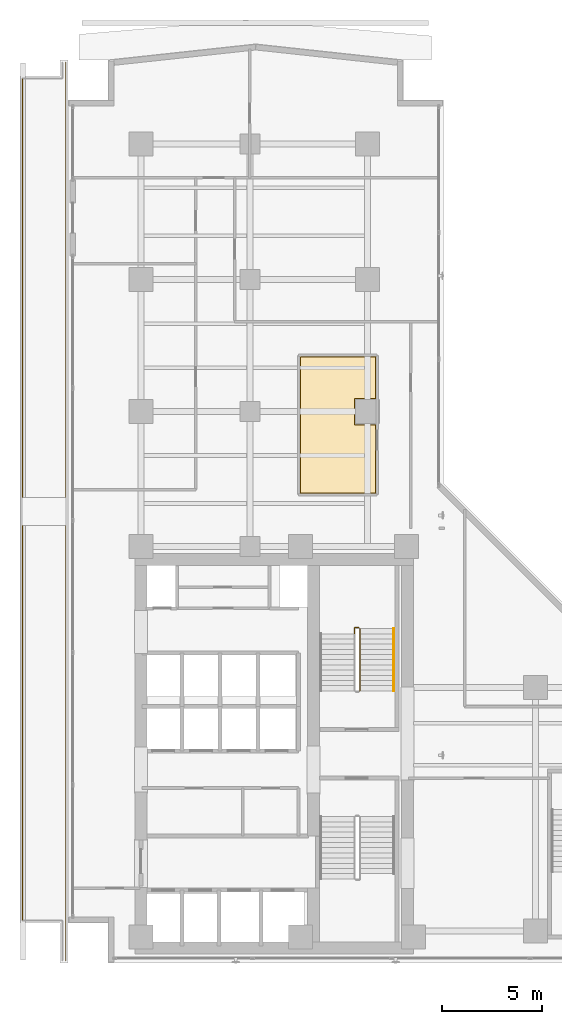
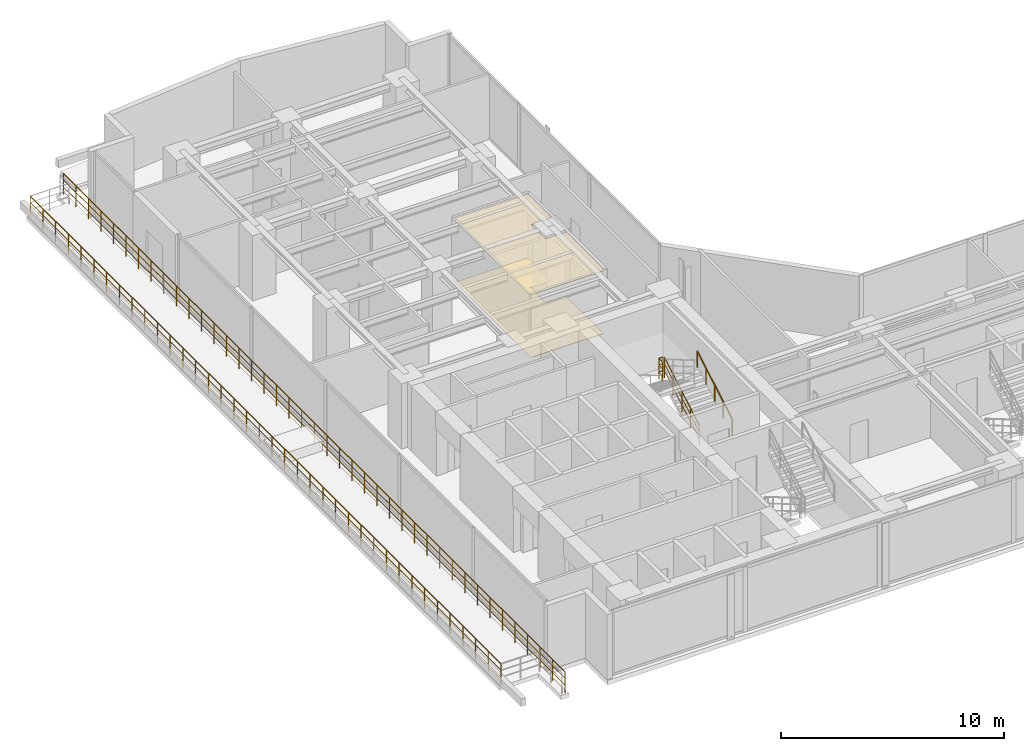
# One storey, part 26 of 28: 5 railings, 2 coverings.
"""IFC4 building model written with IfcOpenShell, lengths in metres."""

from ifc_helpers import new_model, si_unit, direction, frame, origin, origin_2d, place, context, subcontext, project, spatial, polyline, circle, outline, extrude, material, layer, layer_set, type_object, element, save


model = new_model("IFC4")

# Units and contexts
model_context = context("Model", 3, precision=1e-05, world=origin(), true_north=direction((0.0, 1.0)))
body_context = subcontext(model_context, "Body", "Model", "MODEL_VIEW")
ifc_project = project(units=[si_unit("LENGTHUNIT", "METRE"), si_unit("AREAUNIT", "SQUARE_METRE"), si_unit("VOLUMEUNIT", "CUBIC_METRE"), si_unit("PLANEANGLEUNIT", "RADIAN"), si_unit("MASSUNIT", "GRAM", prefix="KILO")], contexts=[model_context])

# Site, building, storey
site_placement = place(None, origin())
site = spatial("IfcSite", under=ifc_project, at=site_placement, CompositionType="ELEMENT")
building_placement = place(site_placement, origin())
building = spatial("IfcBuilding", under=site, at=building_placement, Name="Kolvaren Waterfront Exchange", CompositionType="ELEMENT")
storey_placement = place(building_placement, frame((0.0, 0.0, 146.199951171875)))
storey = spatial("IfcBuildingStorey", under=building, at=storey_placement, Name="L37", CompositionType="ELEMENT", Elevation=146.199951171875)

# Coverings
ifc_material_1 = material(Name="Mineral fibre acoustic ceiling tile")
ifc_layer_1 = layer(ifc_material_1, 0.02490234375, Name="Mineral fibre acoustic ceiling tile")
ifc_layer_set_1 = layer_set([ifc_layer_1], Name="Mineral fibre acoustic ceiling tile")
covering_type_1 = type_object("IfcCoveringType", Name="ARC-CEIL-ACOUSTIC-25", PredefinedType="CEILING", material=ifc_layer_set_1)
covering_1_placement = place(storey_placement, frame((0.0, 0.0, 3.445068359375)))
element("IfcCovering", 1, at=covering_1_placement, inside=storey, type_object=covering_type_1, Name="L37 acoustic suspended ceiling 1", PredefinedType="CEILING", context=body_context, shape_type="SweptSolid", body=[
    extrude(outline(polyline([(19.22509765625, 30.56005859375), (18.159912109375, 30.56005859375), (18.159912109375, 31.840087890625), (19.22509765625, 31.840087890625), (19.22509765625, 33.97509765625), (15.39501953125, 33.97509765625), (15.39501953125, 27.094970703125), (19.22509765625, 27.094970703125), (19.22509765625, 30.56005859375)])), origin(), (0.0, 0.0, 1.0), 0.02490234375),
])
ifc_material_2 = material(Name="Slip-resistant porcelain tile")
ifc_layer_2 = layer(ifc_material_2, 0.014892578125, Name="Slip-resistant porcelain tile")
ifc_layer_set_2 = layer_set([ifc_layer_2], Name="Slip-resistant porcelain tile")
covering_type_2 = type_object("IfcCoveringType", Name="ARC-FLR-PORC-15", PredefinedType="FLOORING", material=ifc_layer_set_2)
covering_2_placement = place(storey_placement, origin())
element("IfcCovering", 2, at=covering_2_placement, inside=storey, type_object=covering_type_2, Name="L37 floor finish 1", PredefinedType="FLOORING", context=body_context, shape_type="SweptSolid", body=[
    extrude(outline(polyline([(15.429931640625, 33.93994140625), (15.429931640625, 27.1298828125), (19.18994140625, 27.1298828125), (19.18994140625, 30.5400390625), (18.139892578125, 30.5400390625), (18.139892578125, 31.860107421875), (19.18994140625, 31.860107421875), (19.18994140625, 33.93994140625), (15.429931640625, 33.93994140625)])), origin(), (0.0, 0.0, 1.0), 0.01513671875),
])

# Railings
ifc_material_3 = material(Name="Anodised bronze aluminium 6063-T6", Category="aluminium")
railing_type_1 = type_object("IfcRailingType", Name="ARC-GUARD-EXT", PredefinedType="GUARDRAIL", material=ifc_material_3)
railing_1_placement = place(storey_placement, frame((1.52001953125, 5.719970703125, 0.0)))
element("IfcRailing", 3, at=railing_1_placement, inside=storey, type_object=railing_type_1, Name="L37 sky-garden perimeter balustrade 2", PredefinedType="GUARDRAIL", context=body_context, shape_type="SweptSolid", body=[
    extrude(circle(Radius=0.02392578125, at=origin_2d()), frame((0.0, 0.0, 1.1259765625), z_axis=(0.0, 1.0, 0.0), x_axis=(-1.0, 0.0, 0.0)), (0.0, 0.0, 1.0), 42.159912109375),
    extrude(circle(Radius=0.01611328125, at=origin_2d()), frame((0.0, 0.0, 0.390869140625), z_axis=(0.0, 1.0, 0.0), x_axis=(-1.0, 0.0, 0.0)), (0.0, 0.0, 1.0), 42.159912109375),
    extrude(circle(Radius=0.01611328125, at=origin_2d()), frame((0.0, 0.0, 0.7705078125), z_axis=(0.0, 1.0, 0.0), x_axis=(-1.0, 0.0, 0.0)), (0.0, 0.0, 1.0), 42.159912109375),
    extrude(circle(Radius=0.02099609375, at=origin_2d()), origin(), (0.0, 0.0, 1.0), 1.101806640625),
    extrude(circle(Radius=0.02099609375, at=origin_2d()), frame((0.0, 1.139404296875, 0.0)), (0.0, 0.0, 1.0), 1.101806640625),
    extrude(circle(Radius=0.02099609375, at=origin_2d()), frame((0.0, 2.27880859375, 0.0)), (0.0, 0.0, 1.0), 1.101806640625),
    extrude(circle(Radius=0.02099609375, at=origin_2d()), frame((0.0, 3.41845703125, 0.0)), (0.0, 0.0, 1.0), 1.101806640625),
    extrude(circle(Radius=0.02099609375, at=origin_2d()), frame((0.0, 4.557861328125, 0.0)), (0.0, 0.0, 1.0), 1.101806640625),
    extrude(circle(Radius=0.02099609375, at=origin_2d()), frame((0.0, 5.697265625, 0.0)), (0.0, 0.0, 1.0), 1.101806640625),
    extrude(circle(Radius=0.02099609375, at=origin_2d()), frame((0.0, 6.836669921875, 0.0)), (0.0, 0.0, 1.0), 1.101806640625),
    extrude(circle(Radius=0.02099609375, at=origin_2d()), frame((0.0, 7.976318359375, 0.0)), (0.0, 0.0, 1.0), 1.101806640625),
    extrude(circle(Radius=0.02099609375, at=origin_2d()), frame((0.0, 9.11572265625, 0.0)), (0.0, 0.0, 1.0), 1.101806640625),
    extrude(circle(Radius=0.02099609375, at=origin_2d()), frame((0.0, 10.255126953125, 0.0)), (0.0, 0.0, 1.0), 1.101806640625),
    extrude(circle(Radius=0.02099609375, at=origin_2d()), frame((0.0, 11.39453125, 0.0)), (0.0, 0.0, 1.0), 1.101806640625),
    extrude(circle(Radius=0.02099609375, at=origin_2d()), frame((0.0, 12.533935546875, 0.0)), (0.0, 0.0, 1.0), 1.101806640625),
    extrude(circle(Radius=0.02099609375, at=origin_2d()), frame((0.0, 13.673583984375, 0.0)), (0.0, 0.0, 1.0), 1.101806640625),
    extrude(circle(Radius=0.02099609375, at=origin_2d()), frame((0.0, 14.81298828125, 0.0)), (0.0, 0.0, 1.0), 1.101806640625),
    extrude(circle(Radius=0.02099609375, at=origin_2d()), frame((0.0, 15.952392578125, 0.0)), (0.0, 0.0, 1.0), 1.101806640625),
    extrude(circle(Radius=0.02099609375, at=origin_2d()), frame((0.0, 17.091796875, 0.0)), (0.0, 0.0, 1.0), 1.101806640625),
    extrude(circle(Radius=0.02099609375, at=origin_2d()), frame((0.0, 18.231201171875, 0.0)), (0.0, 0.0, 1.0), 1.101806640625),
    extrude(circle(Radius=0.02099609375, at=origin_2d()), frame((0.0, 19.370849609375, 0.0)), (0.0, 0.0, 1.0), 1.101806640625),
    extrude(circle(Radius=0.02099609375, at=origin_2d()), frame((0.0, 20.51025390625, 0.0)), (0.0, 0.0, 1.0), 1.101806640625),
    extrude(circle(Radius=0.02099609375, at=origin_2d()), frame((0.0, 21.649658203125, 0.0)), (0.0, 0.0, 1.0), 1.101806640625),
    extrude(circle(Radius=0.02099609375, at=origin_2d()), frame((0.0, 22.7890625, 0.0)), (0.0, 0.0, 1.0), 1.101806640625),
    extrude(circle(Radius=0.02099609375, at=origin_2d()), frame((0.0, 23.9287109375, 0.0)), (0.0, 0.0, 1.0), 1.101806640625),
    extrude(circle(Radius=0.02099609375, at=origin_2d()), frame((0.0, 25.068115234375, 0.0)), (0.0, 0.0, 1.0), 1.101806640625),
    extrude(circle(Radius=0.02099609375, at=origin_2d()), frame((0.0, 26.20751953125, 0.0)), (0.0, 0.0, 1.0), 1.101806640625),
    extrude(circle(Radius=0.02099609375, at=origin_2d()), frame((0.0, 27.346923828125, 0.0)), (0.0, 0.0, 1.0), 1.101806640625),
    extrude(circle(Radius=0.02099609375, at=origin_2d()), frame((0.0, 28.486328125, 0.0)), (0.0, 0.0, 1.0), 1.101806640625),
    extrude(circle(Radius=0.02099609375, at=origin_2d()), frame((0.0, 29.6259765625, 0.0)), (0.0, 0.0, 1.0), 1.101806640625),
    extrude(circle(Radius=0.02099609375, at=origin_2d()), frame((0.0, 30.765380859375, 0.0)), (0.0, 0.0, 1.0), 1.101806640625),
    extrude(circle(Radius=0.02099609375, at=origin_2d()), frame((0.0, 31.90478515625, 0.0)), (0.0, 0.0, 1.0), 1.101806640625),
    extrude(circle(Radius=0.02099609375, at=origin_2d()), frame((0.0, 33.044189453125, 0.0)), (0.0, 0.0, 1.0), 1.101806640625),
    extrude(circle(Radius=0.02099609375, at=origin_2d()), frame((0.0, 34.18359375, 0.0)), (0.0, 0.0, 1.0), 1.101806640625),
    extrude(circle(Radius=0.02099609375, at=origin_2d()), frame((0.0, 35.3232421875, 0.0)), (0.0, 0.0, 1.0), 1.101806640625),
    extrude(circle(Radius=0.02099609375, at=origin_2d()), frame((0.0, 36.462646484375, 0.0)), (0.0, 0.0, 1.0), 1.101806640625),
    extrude(circle(Radius=0.02099609375, at=origin_2d()), frame((0.0, 37.60205078125, 0.0)), (0.0, 0.0, 1.0), 1.101806640625),
    extrude(circle(Radius=0.02099609375, at=origin_2d()), frame((0.0, 38.741455078125, 0.0)), (0.0, 0.0, 1.0), 1.101806640625),
    extrude(circle(Radius=0.02099609375, at=origin_2d()), frame((0.0, 39.881103515625, 0.0)), (0.0, 0.0, 1.0), 1.101806640625),
    extrude(circle(Radius=0.02099609375, at=origin_2d()), frame((0.0, 41.0205078125, 0.0)), (0.0, 0.0, 1.0), 1.101806640625),
    extrude(circle(Radius=0.02099609375, at=origin_2d()), frame((0.0, 42.159912109375, 0.0)), (0.0, 0.0, 1.0), 1.101806640625),
])
railing_2_placement = place(storey_placement, frame((3.68994140625, 48.669921875, 0.0)))
element("IfcRailing", 4, at=railing_2_placement, inside=storey, type_object=railing_type_1, Name="L37 sky-garden perimeter balustrade 2", PredefinedType="GUARDRAIL", context=body_context, shape_type="SweptSolid", body=[
    extrude(circle(Radius=0.02392578125, at=origin_2d()), frame((0.0, 0.0, 1.1259765625), z_axis=(0.0, -1.0, 0.0), x_axis=(1.0, 0.0, 0.0)), (0.0, 0.0, 1.0), 44.93994140625),
    extrude(circle(Radius=0.01611328125, at=origin_2d()), frame((0.0, 0.0, 0.390869140625), z_axis=(0.0, -1.0, 0.0), x_axis=(1.0, 0.0, 0.0)), (0.0, 0.0, 1.0), 44.93994140625),
    extrude(circle(Radius=0.01611328125, at=origin_2d()), frame((0.0, 0.0, 0.7705078125), z_axis=(0.0, -1.0, 0.0), x_axis=(1.0, 0.0, 0.0)), (0.0, 0.0, 1.0), 44.93994140625),
    extrude(circle(Radius=0.02099609375, at=origin_2d()), origin(), (0.0, 0.0, 1.0), 1.101806640625),
    extrude(circle(Radius=0.02099609375, at=origin_2d()), frame((0.0, -1.12353515625, 0.0)), (0.0, 0.0, 1.0), 1.101806640625),
    extrude(circle(Radius=0.02099609375, at=origin_2d()), frame((0.0, -2.2470703125, 0.0)), (0.0, 0.0, 1.0), 1.101806640625),
    extrude(circle(Radius=0.02099609375, at=origin_2d()), frame((0.0, -3.37060546875, 0.0)), (0.0, 0.0, 1.0), 1.101806640625),
    extrude(circle(Radius=0.02099609375, at=origin_2d()), frame((0.0, -4.493896484375, 0.0)), (0.0, 0.0, 1.0), 1.101806640625),
    extrude(circle(Radius=0.02099609375, at=origin_2d()), frame((0.0, -5.617431640625, 0.0)), (0.0, 0.0, 1.0), 1.101806640625),
    extrude(circle(Radius=0.02099609375, at=origin_2d()), frame((0.0, -6.740966796875, 0.0)), (0.0, 0.0, 1.0), 1.101806640625),
    extrude(circle(Radius=0.02099609375, at=origin_2d()), frame((0.0, -7.864501953125, 0.0)), (0.0, 0.0, 1.0), 1.101806640625),
    extrude(circle(Radius=0.02099609375, at=origin_2d()), frame((0.0, -8.988037109375, 0.0)), (0.0, 0.0, 1.0), 1.101806640625),
    extrude(circle(Radius=0.02099609375, at=origin_2d()), frame((0.0, -10.111572265625, 0.0)), (0.0, 0.0, 1.0), 1.101806640625),
    extrude(circle(Radius=0.02099609375, at=origin_2d()), frame((0.0, -11.23486328125, 0.0)), (0.0, 0.0, 1.0), 1.101806640625),
    extrude(circle(Radius=0.02099609375, at=origin_2d()), frame((0.0, -12.3583984375, 0.0)), (0.0, 0.0, 1.0), 1.101806640625),
    extrude(circle(Radius=0.02099609375, at=origin_2d()), frame((0.0, -13.48193359375, 0.0)), (0.0, 0.0, 1.0), 1.101806640625),
    extrude(circle(Radius=0.02099609375, at=origin_2d()), frame((0.0, -14.60546875, 0.0)), (0.0, 0.0, 1.0), 1.101806640625),
    extrude(circle(Radius=0.02099609375, at=origin_2d()), frame((0.0, -15.72900390625, 0.0)), (0.0, 0.0, 1.0), 1.101806640625),
    extrude(circle(Radius=0.02099609375, at=origin_2d()), frame((0.0, -16.8525390625, 0.0)), (0.0, 0.0, 1.0), 1.101806640625),
    extrude(circle(Radius=0.02099609375, at=origin_2d()), frame((0.0, -17.97607421875, 0.0)), (0.0, 0.0, 1.0), 1.101806640625),
    extrude(circle(Radius=0.02099609375, at=origin_2d()), frame((0.0, -19.099365234375, 0.0)), (0.0, 0.0, 1.0), 1.101806640625),
    extrude(circle(Radius=0.02099609375, at=origin_2d()), frame((0.0, -20.222900390625, 0.0)), (0.0, 0.0, 1.0), 1.101806640625),
    extrude(circle(Radius=0.02099609375, at=origin_2d()), frame((0.0, -21.346435546875, 0.0)), (0.0, 0.0, 1.0), 1.101806640625),
    extrude(circle(Radius=0.02099609375, at=origin_2d()), frame((0.0, -22.469970703125, 0.0)), (0.0, 0.0, 1.0), 1.101806640625),
    extrude(circle(Radius=0.02099609375, at=origin_2d()), frame((0.0, -23.593505859375, 0.0)), (0.0, 0.0, 1.0), 1.101806640625),
    extrude(circle(Radius=0.02099609375, at=origin_2d()), frame((0.0, -24.717041015625, 0.0)), (0.0, 0.0, 1.0), 1.101806640625),
    extrude(circle(Radius=0.02099609375, at=origin_2d()), frame((0.0, -25.840576171875, 0.0)), (0.0, 0.0, 1.0), 1.101806640625),
    extrude(circle(Radius=0.02099609375, at=origin_2d()), frame((0.0, -26.9638671875, 0.0)), (0.0, 0.0, 1.0), 1.101806640625),
    extrude(circle(Radius=0.02099609375, at=origin_2d()), frame((0.0, -28.08740234375, 0.0)), (0.0, 0.0, 1.0), 1.101806640625),
    extrude(circle(Radius=0.02099609375, at=origin_2d()), frame((0.0, -29.2109375, 0.0)), (0.0, 0.0, 1.0), 1.101806640625),
    extrude(circle(Radius=0.02099609375, at=origin_2d()), frame((0.0, -30.33447265625, 0.0)), (0.0, 0.0, 1.0), 1.101806640625),
    extrude(circle(Radius=0.02099609375, at=origin_2d()), frame((0.0, -31.4580078125, 0.0)), (0.0, 0.0, 1.0), 1.101806640625),
    extrude(circle(Radius=0.02099609375, at=origin_2d()), frame((0.0, -32.58154296875, 0.0)), (0.0, 0.0, 1.0), 1.101806640625),
    extrude(circle(Radius=0.02099609375, at=origin_2d()), frame((0.0, -33.705078125, 0.0)), (0.0, 0.0, 1.0), 1.101806640625),
    extrude(circle(Radius=0.02099609375, at=origin_2d()), frame((0.0, -34.828369140625, 0.0)), (0.0, 0.0, 1.0), 1.101806640625),
    extrude(circle(Radius=0.02099609375, at=origin_2d()), frame((0.0, -35.951904296875, 0.0)), (0.0, 0.0, 1.0), 1.101806640625),
    extrude(circle(Radius=0.02099609375, at=origin_2d()), frame((0.0, -37.075439453125, 0.0)), (0.0, 0.0, 1.0), 1.101806640625),
    extrude(circle(Radius=0.02099609375, at=origin_2d()), frame((0.0, -38.198974609375, 0.0)), (0.0, 0.0, 1.0), 1.101806640625),
    extrude(circle(Radius=0.02099609375, at=origin_2d()), frame((0.0, -39.322509765625, 0.0)), (0.0, 0.0, 1.0), 1.101806640625),
    extrude(circle(Radius=0.02099609375, at=origin_2d()), frame((0.0, -40.446044921875, 0.0)), (0.0, 0.0, 1.0), 1.101806640625),
    extrude(circle(Radius=0.02099609375, at=origin_2d()), frame((0.0, -41.5693359375, 0.0)), (0.0, 0.0, 1.0), 1.101806640625),
    extrude(circle(Radius=0.02099609375, at=origin_2d()), frame((0.0, -42.69287109375, 0.0)), (0.0, 0.0, 1.0), 1.101806640625),
    extrude(circle(Radius=0.02099609375, at=origin_2d()), frame((0.0, -43.81640625, 0.0)), (0.0, 0.0, 1.0), 1.101806640625),
    extrude(circle(Radius=0.02099609375, at=origin_2d()), frame((0.0, -44.93994140625, 0.0)), (0.0, 0.0, 1.0), 1.101806640625),
])
ifc_material_4 = material(Name="Stainless steel 316", Category="steel")
railing_type_2 = type_object("IfcRailingType", Name="ARC-GUARD-STAIR", PredefinedType="GUARDRAIL", material=ifc_material_4)
railing_3_placement = place(storey_placement, frame((18.409912109375, 17.219970703125, 0.152099609375)))
element("IfcRailing", 5, at=railing_3_placement, inside=storey, type_object=railing_type_2, Name="L37 ST2 stair guard 1", PredefinedType="GUARDRAIL", context=body_context, shape_type="SweptSolid", body=[
    extrude(circle(Radius=0.02392578125, at=origin_2d()), frame((0.0, 0.0, 1.1259765625), z_axis=(0.0, 0.86330811405, 0.504677223793), x_axis=(-1.0, 0.0, 0.0)), (0.0, 0.0, 1.0), 3.6142578125),
    extrude(circle(Radius=0.01611328125, at=origin_2d()), frame((0.0, 0.0, 0.390869140625), z_axis=(0.0, 0.86330811405, 0.504677223793), x_axis=(-1.0, 0.0, 0.0)), (0.0, 0.0, 1.0), 3.6142578125),
    extrude(circle(Radius=0.01611328125, at=origin_2d()), frame((0.0, 0.0, 0.7705078125), z_axis=(0.0, 0.86330811405, 0.504677223793), x_axis=(-1.0, 0.0, 0.0)), (0.0, 0.0, 1.0), 3.6142578125),
    extrude(circle(Radius=0.02099609375, at=origin_2d()), origin(), (0.0, 0.0, 1.0), 1.101806640625),
    extrude(circle(Radius=0.02099609375, at=origin_2d()), frame((0.0, 0.780029296875, 0.4560546875)), (0.0, 0.0, 1.0), 1.101806640625),
    extrude(circle(Radius=0.02099609375, at=origin_2d()), frame((0.0, 1.56005859375, 0.912109375)), (0.0, 0.0, 1.0), 1.101806640625),
    extrude(circle(Radius=0.02099609375, at=origin_2d()), frame((0.0, 2.340087890625, 1.367919921875)), (0.0, 0.0, 1.0), 1.101806640625),
    extrude(circle(Radius=0.02099609375, at=origin_2d()), frame((0.0, 3.1201171875, 1.823974609375)), (0.0, 0.0, 1.0), 1.101806640625),
])
railing_4_placement = place(storey_placement, frame((18.360107421875, 20.389892578125, 1.97607421875)))
element("IfcRailing", 6, at=railing_4_placement, inside=storey, type_object=railing_type_2, Name="L37 ST2 stair guard 2", PredefinedType="GUARDRAIL", context=body_context, shape_type="SweptSolid", body=[
    extrude(circle(Radius=0.02392578125, at=origin_2d()), frame((0.0, 0.0, 1.1259765625), z_axis=(-1.0, 0.0, 0.0), x_axis=(0.0, -1.0, 0.0)), (0.0, 0.0, 1.0), 0.210205078125),
    extrude(circle(Radius=0.01611328125, at=origin_2d()), frame((0.0, 0.0, 0.390869140625), z_axis=(-1.0, 0.0, 0.0), x_axis=(0.0, -1.0, 0.0)), (0.0, 0.0, 1.0), 0.210205078125),
    extrude(circle(Radius=0.01611328125, at=origin_2d()), frame((0.0, 0.0, 0.7705078125), z_axis=(-1.0, 0.0, 0.0), x_axis=(0.0, -1.0, 0.0)), (0.0, 0.0, 1.0), 0.210205078125),
    extrude(circle(Radius=0.02392578125, at=origin_2d()), frame((-0.210205078125, 0.0, 1.1259765625), z_axis=(0.0, -1.0, 0.0), x_axis=(1.0, 0.0, 0.0)), (0.0, 0.0, 1.0), 0.309814453125),
    extrude(circle(Radius=0.01611328125, at=origin_2d()), frame((-0.210205078125, 0.0, 0.390869140625), z_axis=(0.0, -1.0, 0.0), x_axis=(1.0, 0.0, 0.0)), (0.0, 0.0, 1.0), 0.309814453125),
    extrude(circle(Radius=0.01611328125, at=origin_2d()), frame((-0.210205078125, 0.0, 0.7705078125), z_axis=(0.0, -1.0, 0.0), x_axis=(1.0, 0.0, 0.0)), (0.0, 0.0, 1.0), 0.309814453125),
    extrude(circle(Radius=0.02099609375, at=origin_2d()), origin(), (0.0, 0.0, 1.0), 1.101806640625),
    extrude(circle(Radius=0.02099609375, at=origin_2d()), frame((-0.210205078125, 0.0, 0.0)), (0.0, 0.0, 1.0), 1.101806640625),
    extrude(circle(Radius=0.02099609375, at=origin_2d()), frame((-0.210205078125, -0.309814453125, 0.0)), (0.0, 0.0, 1.0), 1.101806640625),
])
railing_type_3 = type_object("IfcRailingType", Name="ARC-HANDRAIL-900", PredefinedType="HANDRAIL", material=ifc_material_4)
railing_5_placement = place(storey_placement, frame((20.110107421875, 17.219970703125, 0.152099609375)))
element("IfcRailing", 7, at=railing_5_placement, inside=storey, type_object=railing_type_3, Name="L37 ST2 stair handrail 1", PredefinedType="HANDRAIL", context=body_context, shape_type="SweptSolid", body=[
    extrude(circle(Radius=0.02392578125, at=origin_2d()), frame((0.0, 0.0, 0.8759765625), z_axis=(0.0, 0.86330811405, 0.504677223793), x_axis=(-1.0, 0.0, 0.0)), (0.0, 0.0, 1.0), 3.6142578125),
    extrude(circle(Radius=0.02099609375, at=origin_2d()), origin(), (0.0, 0.0, 1.0), 0.851806640625),
    extrude(circle(Radius=0.02099609375, at=origin_2d()), frame((0.0, 0.780029296875, 0.4560546875)), (0.0, 0.0, 1.0), 0.851806640625),
    extrude(circle(Radius=0.02099609375, at=origin_2d()), frame((0.0, 1.56005859375, 0.912109375)), (0.0, 0.0, 1.0), 0.851806640625),
    extrude(circle(Radius=0.02099609375, at=origin_2d()), frame((0.0, 2.340087890625, 1.367919921875)), (0.0, 0.0, 1.0), 0.851806640625),
    extrude(circle(Radius=0.02099609375, at=origin_2d()), frame((0.0, 3.1201171875, 1.823974609375)), (0.0, 0.0, 1.0), 0.851806640625),
])

save(model, "model.ifc")
